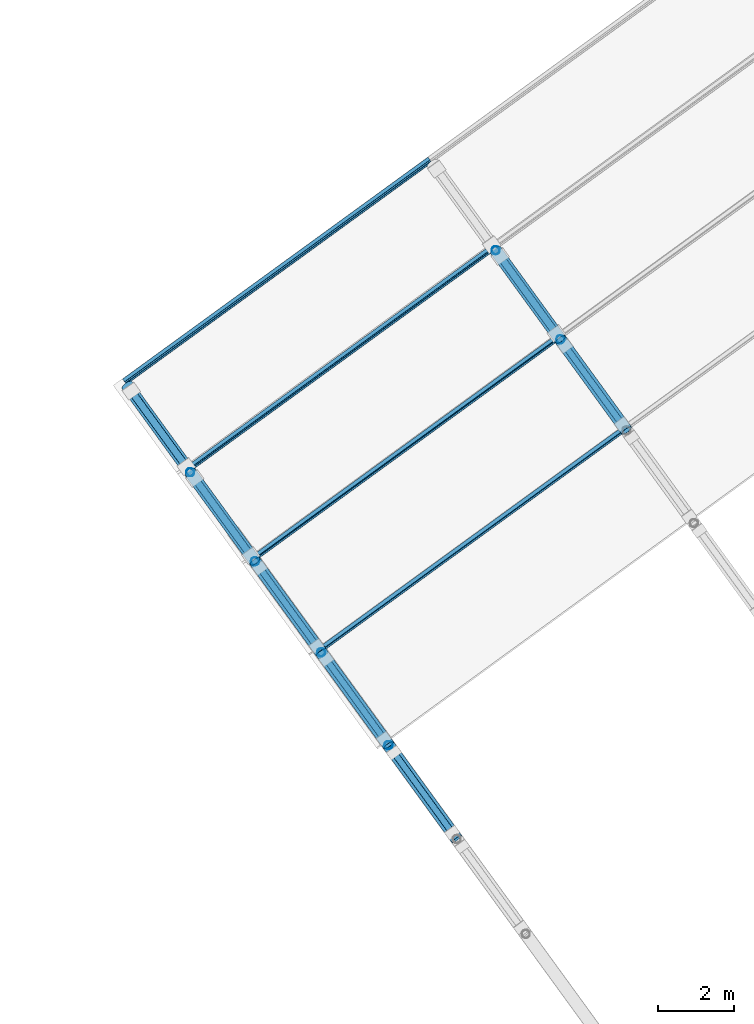
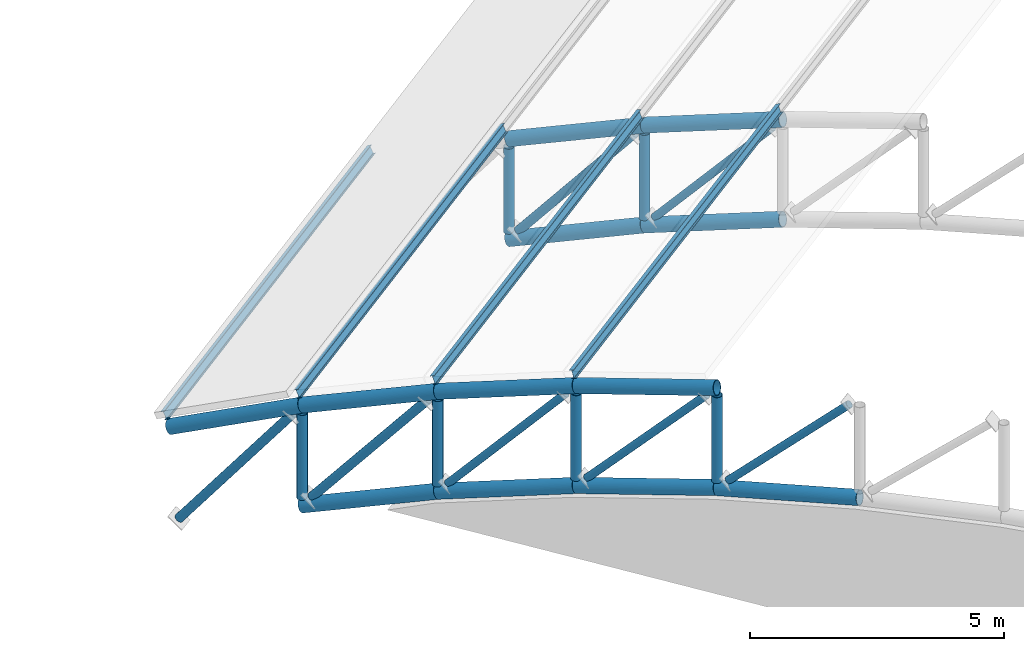
# One storey, part 21 of 69: 25 members, 4 beams.
"""IFC4 building model written with IfcOpenShell, lengths in metres."""

from ifc_helpers import new_model, si_unit, direction, frame, origin, origin_2d, place, context, subcontext, project, spatial, hollow_circle, i_section, extrude, material, material_profile, profile_set, type_object, element, save


model = new_model("IFC4")

# Units and contexts
model_context = context("Model", 3, precision=1e-05, world=origin(), true_north=direction((0.0, 1.0)))
body_context = subcontext(model_context, "Body", "Model", "MODEL_VIEW")
ifc_project = project(units=[si_unit("LENGTHUNIT", "METRE"), si_unit("AREAUNIT", "SQUARE_METRE"), si_unit("VOLUMEUNIT", "CUBIC_METRE"), si_unit("PLANEANGLEUNIT", "RADIAN"), si_unit("MASSUNIT", "GRAM", prefix="KILO")], contexts=[model_context])

# Site, building, storey
site_placement = place(None, origin())
site = spatial("IfcSite", under=ifc_project, at=site_placement, CompositionType="ELEMENT")
building_placement = place(site_placement, origin())
building = spatial("IfcBuilding", under=site, at=building_placement, Name="Okhra Congress Centre", CompositionType="ELEMENT")
storey_placement = place(building_placement, frame((0.0, 0.0, 16.800048828125)))
storey = spatial("IfcBuildingStorey", under=building, at=storey_placement, Name="L03", CompositionType="ELEMENT", Elevation=16.800048828125)

# Members
ifc_material_1 = material(Name="Steel S355J2H", Category="steel")
ifc_material_profile_1 = material_profile(ifc_material_1, hollow_circle(Radius=0.084228515625, WallThickness=0.00634765625, at=origin_2d()), Name="CHS 168.3x6.3")
ifc_profile_set_1 = profile_set([ifc_material_profile_1], Name="Steel S355J2H")
member_type_1 = type_object("IfcMemberType", Name="CHS 168.3x6.3", PredefinedType="BRACE", material=ifc_profile_set_1)
member_1_placement = place(storey_placement, frame((206.765380859375, 187.82763671875, 2.67236328125), z_axis=(0.418439949368, -0.575872140845, 0.702338441331), x_axis=(0.808987367589, 0.587826027904, 0.0)))
element("IfcMember", 1, at=member_1_placement, inside=storey, type_object=member_type_1, Name="Truss 1 diagonal 13", PredefinedType="BRACE", context=body_context, shape_type="SweptSolid", body=[
    extrude(hollow_circle(Radius=0.084228515625, WallThickness=0.00634765625, at=origin_2d()), origin(), (0.0, 0.0, 1.0), 3.658203125),
])
member_2_placement = place(storey_placement, frame((204.973388671875, 190.294189453125, 1.861572265625), z_axis=(0.403566104127, -0.555431833884, 0.727069375994), x_axis=(0.809002272195, 0.587805515102, 0.0)))
element("IfcMember", 2, at=member_2_placement, inside=storey, type_object=member_type_1, Name="Truss 1 diagonal 14", PredefinedType="BRACE", context=body_context, shape_type="SweptSolid", body=[
    extrude(hollow_circle(Radius=0.084228515625, WallThickness=0.00634765625, at=origin_2d()), origin(), (0.0, 0.0, 1.0), 3.753662109375),
])
for number, where, z_axis, x_axis, name in (
    (3, (203.212890625, 192.71728515625, 0.876220703125), (0.388319016277, -0.534446918345, 0.750716213405), (0.809002165091, 0.58780566251, 0.0), "Truss 1 diagonal 15"),
    (4, (211.302978515625, 198.59521484375, 0.876220703125), (0.388305830606, -0.534492302501, 0.750690722258), (0.809035390265, 0.587759931689, 0.0), "Truss 2 diagonal 15"),
):
    element("IfcMember", number, at=place(storey_placement, frame(where, z_axis=z_axis, x_axis=x_axis)), inside=storey, type_object=member_type_1, Name=name, PredefinedType="BRACE", context=body_context, shape_type="SweptSolid", body=[
        extrude(hollow_circle(Radius=0.084228515625, WallThickness=0.00634765625, at=origin_2d()), origin(), (0.0, 0.0, 1.0), 3.8427734375),
    ])
ifc_material_profile_2 = material_profile(ifc_material_1, hollow_circle(Radius=0.096923828125, WallThickness=0.010009765625, at=origin_2d()), Name="CHS 193.7x10")
ifc_profile_set_2 = profile_set([ifc_material_profile_2], Name="Steel S355J2H")
member_type_2 = type_object("IfcMemberType", Name="CHS 193.7x10", PredefinedType="BRACE", material=ifc_profile_set_2)
member_3_placement = place(storey_placement, frame((201.489501953125, 195.08935546875, -0.28076171875), z_axis=(0.3727521496, -0.513012647098, 0.773223033081), x_axis=(0.808997013889, 0.587812752089, 0.0)))
element("IfcMember", 5, at=member_3_placement, inside=storey, type_object=member_type_2, Name="Truss 1 diagonal 16", PredefinedType="BRACE", context=body_context, shape_type="SweptSolid", body=[
    extrude(hollow_circle(Radius=0.096923828125, WallThickness=0.010009765625, at=origin_2d()), origin(), (0.0, 0.0, 1.0), 3.95458984375),
])
member_4_placement = place(storey_placement, frame((199.808837890625, 197.40234375, -1.60595703125), z_axis=(0.356796884209, -0.491009860406, 0.794735994153), x_axis=(0.808972068944, 0.587847081874, 0.0)))
element("IfcMember", 6, at=member_4_placement, inside=storey, type_object=member_type_2, Name="Truss 1 diagonal 17", PredefinedType="BRACE", context=body_context, shape_type="SweptSolid", body=[
    extrude(hollow_circle(Radius=0.096923828125, WallThickness=0.010009765625, at=origin_2d()), origin(), (0.0, 0.0, 1.0), 4.052734375),
])
member_5_placement = place(storey_placement, frame((209.57958984375, 200.96728515625, -0.28076171875), z_axis=(0.3727521496, -0.513012647098, 0.773223033081), x_axis=(0.808997013889, 0.587812752089, 0.0)))
element("IfcMember", 7, at=member_5_placement, inside=storey, type_object=member_type_2, Name="Truss 2 diagonal 16", PredefinedType="BRACE", context=body_context, shape_type="SweptSolid", body=[
    extrude(hollow_circle(Radius=0.096923828125, WallThickness=0.010009765625, at=origin_2d()), origin(), (0.0, 0.0, 1.0), 3.95458984375),
])
ifc_material_profile_3 = material_profile(ifc_material_1, hollow_circle(Radius=0.109619140625, WallThickness=0.008056640625, at=origin_2d()), Name="CHS 219.1x8")
ifc_profile_set_3 = profile_set([ifc_material_profile_3], Name="Steel S355J2H")
member_type_3 = type_object("IfcMemberType", Name="CHS 219.1x8", PredefinedType="POST", material=ifc_profile_set_3)
member_6_placement = place(storey_placement, frame((206.620361328125, 188.02734375, 2.597412109375), z_axis=(0.0, 0.0, 1.0), x_axis=(1.0, 0.0, 0.0)))
element("IfcMember", 8, at=member_6_placement, inside=storey, type_object=member_type_3, Name="Truss 1 post 13", PredefinedType="POST", context=body_context, shape_type="SweptSolid", body=[
    extrude(hollow_circle(Radius=0.109619140625, WallThickness=0.008056640625, at=origin_2d()), origin(), (0.0, 0.0, 1.0), 2.063232421875),
])
member_7_placement = place(storey_placement, frame((204.837158203125, 190.48193359375, 1.787109375), z_axis=(0.0, 0.0, 1.0), x_axis=(1.0, 0.0, 0.0)))
element("IfcMember", 9, at=member_7_placement, inside=storey, type_object=member_type_3, Name="Truss 1 post 14", PredefinedType="POST", context=body_context, shape_type="SweptSolid", body=[
    extrude(hollow_circle(Radius=0.109619140625, WallThickness=0.008056640625, at=origin_2d()), origin(), (0.0, 0.0, 1.0), 2.057861328125),
])
member_8_placement = place(storey_placement, frame((203.08447265625, 192.89404296875, 0.80224609375), z_axis=(0.0, 0.0, 1.0), x_axis=(1.0, 0.0, 0.0)))
element("IfcMember", 10, at=member_8_placement, inside=storey, type_object=member_type_3, Name="Truss 1 post 15", PredefinedType="POST", context=body_context, shape_type="SweptSolid", body=[
    extrude(hollow_circle(Radius=0.109619140625, WallThickness=0.008056640625, at=origin_2d()), origin(), (0.0, 0.0, 1.0), 2.05126953125),
])
member_9_placement = place(storey_placement, frame((201.36865234375, 195.255859375, -0.353271484375), z_axis=(0.0, 0.0, 1.0), x_axis=(1.0, 0.0, 0.0)))
element("IfcMember", 11, at=member_9_placement, inside=storey, type_object=member_type_3, Name="Truss 1 post 16", PredefinedType="POST", context=body_context, shape_type="SweptSolid", body=[
    extrude(hollow_circle(Radius=0.109619140625, WallThickness=0.008056640625, at=origin_2d()), origin(), (0.0, 0.0, 1.0), 2.043212890625),
])
member_10_placement = place(storey_placement, frame((211.174560546875, 198.77197265625, 0.80224609375), z_axis=(0.0, 0.0, 1.0), x_axis=(1.0, 0.0, 0.0)))
element("IfcMember", 12, at=member_10_placement, inside=storey, type_object=member_type_3, Name="Truss 2 post 15", PredefinedType="POST", context=body_context, shape_type="SweptSolid", body=[
    extrude(hollow_circle(Radius=0.109619140625, WallThickness=0.008056640625, at=origin_2d()), origin(), (0.0, 0.0, 1.0), 2.05126953125),
])
member_11_placement = place(storey_placement, frame((209.458740234375, 201.1337890625, -0.353271484375), z_axis=(0.0, 0.0, 1.0), x_axis=(1.0, 0.0, 0.0)))
element("IfcMember", 13, at=member_11_placement, inside=storey, type_object=member_type_3, Name="Truss 2 post 16", PredefinedType="POST", context=body_context, shape_type="SweptSolid", body=[
    extrude(hollow_circle(Radius=0.109619140625, WallThickness=0.008056640625, at=origin_2d()), origin(), (0.0, 0.0, 1.0), 2.043212890625),
])
ifc_material_profile_4 = material_profile(ifc_material_1, hollow_circle(Radius=0.161865234375, WallThickness=0.012451171875, at=origin_2d()), Name="CHS 323.9x12.5")
ifc_profile_set_4 = profile_set([ifc_material_profile_4], Name="Steel S355J2H")
member_type_4 = type_object("IfcMemberType", Name="CHS 323.9x12.5", PredefinedType="CHORD", material=ifc_profile_set_4)
member_12_placement = place(storey_placement, frame((208.4287109375, 185.53857421875, 3.064208984375), z_axis=(-0.575672570381, 0.792278409945, -0.202227626317), x_axis=(-0.808993389874, -0.587817739729, 0.0)))
element("IfcMember", 14, at=member_12_placement, inside=storey, type_object=member_type_4, Name="Truss 1 bottom chord 13", PredefinedType="CHORD", context=body_context, shape_type="SweptSolid", body=[
    extrude(hollow_circle(Radius=0.161865234375, WallThickness=0.012451171875, at=origin_2d()), origin(), (0.0, 0.0, 1.0), 3.141357421875),
])
for number, where, z_axis, x_axis, name in (
    (15, (206.620361328125, 188.02734375, 2.428955078125), (-0.567721342832, 0.781471848416, -0.258832430398), (-0.809042194464, -0.587750565781, 0.0), "Truss 1 bottom chord 14"),
    (16, (206.620361328125, 188.02734375, 4.8291015625), (-0.567721342832, 0.781471848416, -0.258832430398), (-0.809042194464, -0.587750565781, 0.0), "Truss 1 top chord 14"),
):
    element("IfcMember", number, at=place(storey_placement, frame(where, z_axis=z_axis, x_axis=x_axis)), inside=storey, type_object=member_type_4, Name=name, PredefinedType="CHORD", context=body_context, shape_type="SweptSolid", body=[
        extrude(hollow_circle(Radius=0.161865234375, WallThickness=0.012451171875, at=origin_2d()), origin(), (0.0, 0.0, 1.0), 3.140869140625),
    ])
for number, where, z_axis, x_axis, name in (
    (17, (204.837158203125, 190.48193359375, 1.615966796875), (-0.557987850895, 0.767923104449, -0.314553117784), (-0.808987408201, -0.587825972012, 0.0), "Truss 1 bottom chord 15"),
    (18, (204.837158203125, 190.48193359375, 4.01611328125), (-0.557987850895, 0.767923104449, -0.314553117784), (-0.808987408201, -0.587825972012, 0.0), "Truss 1 top chord 15"),
    (19, (203.08447265625, 192.89404296875, 0.6279296875), (-0.546233373681, 0.751886974528, -0.369181634175), (-0.809039757938, -0.58775391966, 0.0), "Truss 1 bottom chord 16"),
):
    element("IfcMember", number, at=place(storey_placement, frame(where, z_axis=z_axis, x_axis=x_axis)), inside=storey, type_object=member_type_4, Name=name, PredefinedType="CHORD", context=body_context, shape_type="SweptSolid", body=[
        extrude(hollow_circle(Radius=0.161865234375, WallThickness=0.012451171875, at=origin_2d()), origin(), (0.0, 0.0, 1.0), 3.14111328125),
    ])
member_13_placement = place(storey_placement, frame((203.08447265625, 192.89404296875, 3.028076171875), z_axis=(-0.546217699248, 0.751865398766, -0.369248760548), x_axis=(-0.809039757938, -0.58775391966, 0.0)))
element("IfcMember", 20, at=member_13_placement, inside=storey, type_object=member_type_4, Name="Truss 1 top chord 16", PredefinedType="CHORD", context=body_context, shape_type="SweptSolid", body=[
    extrude(hollow_circle(Radius=0.161865234375, WallThickness=0.012451171875, at=origin_2d()), origin(), (0.0, 0.0, 1.0), 3.141357421875),
])
for number, where, z_axis, x_axis, name in (
    (21, (201.36865234375, 195.255859375, 1.8681640625), (-0.532714364208, 0.733240051348, -0.42258068255), (-0.809025240298, -0.587773902586, 0.0), "Truss 1 top chord 17"),
    (22, (212.92724609375, 196.35986328125, 1.615966796875), (-0.557987850895, 0.767923104449, -0.314553117784), (-0.808987408201, -0.587825972012, 0.0), "Truss 2 bottom chord 15"),
    (23, (212.92724609375, 196.35986328125, 4.01611328125), (-0.557987850895, 0.767923104449, -0.314553117784), (-0.808987408201, -0.587825972012, 0.0), "Truss 2 top chord 15"),
    (24, (211.174560546875, 198.77197265625, 0.6279296875), (-0.546233373681, 0.751886974528, -0.369181634175), (-0.809039757938, -0.58775391966, 0.0), "Truss 2 bottom chord 16"),
):
    element("IfcMember", number, at=place(storey_placement, frame(where, z_axis=z_axis, x_axis=x_axis)), inside=storey, type_object=member_type_4, Name=name, PredefinedType="CHORD", context=body_context, shape_type="SweptSolid", body=[
        extrude(hollow_circle(Radius=0.161865234375, WallThickness=0.012451171875, at=origin_2d()), origin(), (0.0, 0.0, 1.0), 3.14111328125),
    ])
member_14_placement = place(storey_placement, frame((211.174560546875, 198.77197265625, 3.028076171875), z_axis=(-0.546217699248, 0.751865398766, -0.369248760548), x_axis=(-0.809039757938, -0.58775391966, 0.0)))
element("IfcMember", 25, at=member_14_placement, inside=storey, type_object=member_type_4, Name="Truss 2 top chord 16", PredefinedType="CHORD", context=body_context, shape_type="SweptSolid", body=[
    extrude(hollow_circle(Radius=0.161865234375, WallThickness=0.012451171875, at=origin_2d()), origin(), (0.0, 0.0, 1.0), 3.141357421875),
])

# Beams
ifc_material_2 = material(Name="Steel S355J2", Category="steel")
ifc_material_profile_5 = material_profile(ifc_material_2, i_section(OverallWidth=0.10009765625, OverallDepth=0.199951171875, WebThickness=0.005615234375, FlangeThickness=0.008544921875, FilletRadius=0.011962890625, at=origin_2d()), Name="IPE 200")
ifc_profile_set_5 = profile_set([ifc_material_profile_5], Name="Steel S355J2")
beam_type = type_object("IfcBeamType", Name="IPE 200", PredefinedType="BEAM", material=ifc_profile_set_5)
for number, where, z_axis, x_axis, name in (
    (26, (204.79345703125, 190.5419921875, 4.26416015625), (0.809010490052, 0.58779420462, 0.0), (-0.563100683425, 0.775023564822, -0.286803232717), "Purlin 15.85"),
    (27, (203.032470703125, 192.9658203125, 3.271240234375), (0.809010490052, 0.58779420462, 0.0), (-0.552345876622, 0.760221187641, -0.342020143326), "Purlin 16.91"),
    (28, (201.308349609375, 195.3388671875, 2.10595703125), (0.809010490052, 0.58779420462, 0.0), (-0.539722106215, 0.742846462603, -0.396079766034), "Purlin 17.97"),
):
    element("IfcBeam", number, at=place(storey_placement, frame(where, z_axis=z_axis, x_axis=x_axis)), inside=storey, type_object=beam_type, Name=name, PredefinedType="BEAM", context=body_context, shape_type="SweptSolid", body=[
        extrude(i_section(OverallWidth=0.10009765625, OverallDepth=0.199951171875, WebThickness=0.005615234375, FlangeThickness=0.008544921875, FilletRadius=0.011962890625, at=origin_2d()), origin(), (0.0, 0.0, 1.0), 10.0),
    ])
beam_placement = place(storey_placement, frame((199.626953125, 197.653076171875, 0.772216796875), z_axis=(0.809022099746, 0.587778225288, 0.0), x_axis=(-0.525257807387, 0.722968555074, -0.448799180206)))
element("IfcBeam", 29, at=beam_placement, inside=storey, type_object=beam_type, Name="Purlin 18.103", PredefinedType="BEAM", context=body_context, shape_type="SweptSolid", body=[
    extrude(i_section(OverallWidth=0.10009765625, OverallDepth=0.199951171875, WebThickness=0.005615234375, FlangeThickness=0.008544921875, FilletRadius=0.011962890625, at=origin_2d()), origin(), (0.0, 0.0, 1.0), 9.999755859375),
])

save(model, "model.ifc")
